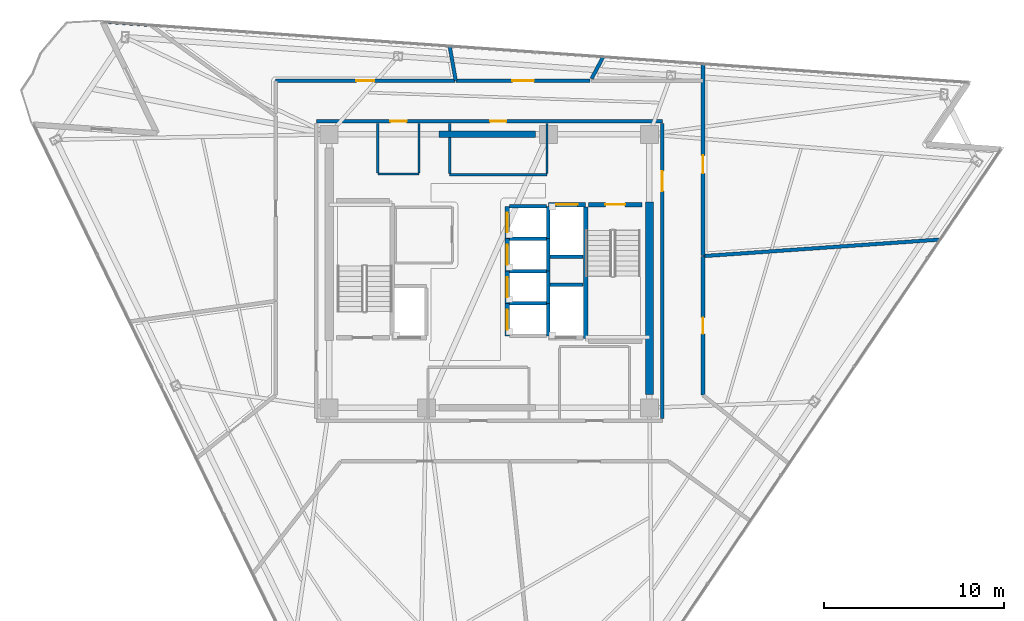
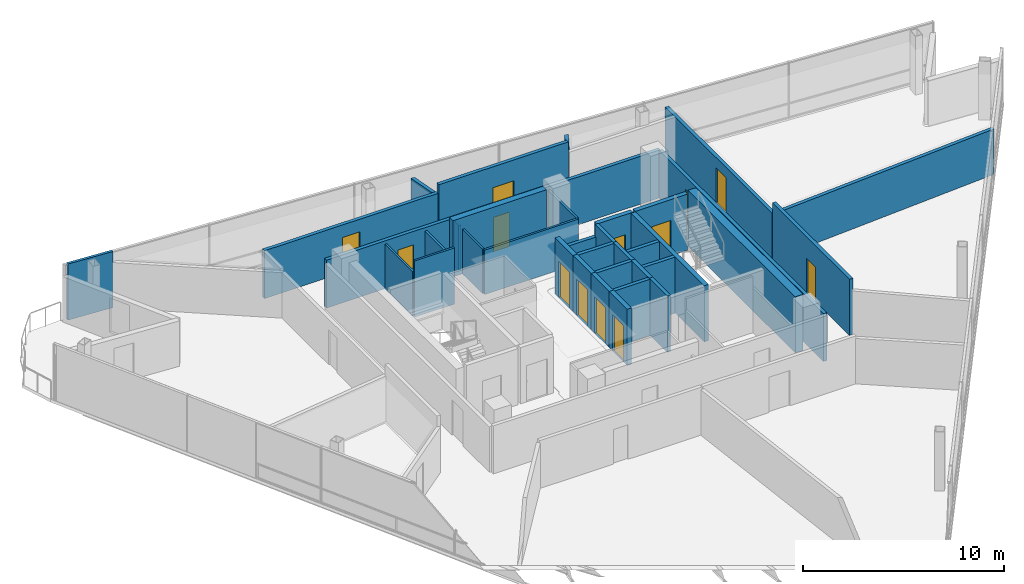
# One storey, part 10 of 14: 36 walls, 13 doors, 13 openings.
"""IFC4 building model written with IfcOpenShell, lengths in metres."""

from ifc_helpers import new_model, si_unit, direction, frame, frame_2d, origin, place, context, subcontext, project, spatial, rectangle, extrude, material, layer, layer_set, type_object, element, fill, save


model = new_model("IFC4")

# Units and contexts
model_context = context("Model", 3, precision=1e-05, world=origin(), true_north=direction((0.0, 1.0)))
body_context = subcontext(model_context, "Body", "Model", "MODEL_VIEW")
ifc_project = project(units=[si_unit("LENGTHUNIT", "METRE"), si_unit("AREAUNIT", "SQUARE_METRE"), si_unit("VOLUMEUNIT", "CUBIC_METRE"), si_unit("PLANEANGLEUNIT", "RADIAN"), si_unit("MASSUNIT", "GRAM", prefix="KILO")], contexts=[model_context])

# Site, building, storey
site_placement = place(None, origin())
site = spatial("IfcSite", under=ifc_project, at=site_placement, CompositionType="ELEMENT")
building_placement = place(site_placement, origin())
building = spatial("IfcBuilding", under=site, at=building_placement, Name="Tharavind Bronze Gate", CompositionType="ELEMENT")
storey_placement = place(building_placement, frame((0.0, 0.0, 245.050048828125)))
storey = spatial("IfcBuildingStorey", under=building, at=storey_placement, Name="L63", CompositionType="ELEMENT", Elevation=245.050048828125)

# Wall, openings, doors
ifc_material_1 = material(Name="Aerated Concrete Block", Category="concrete")
ifc_layer_1 = layer(ifc_material_1, 0.199951171875)
ifc_layer_set_1 = layer_set([ifc_layer_1], Name="Aerated Concrete Block")
wall_type_1 = type_object("IfcWallType", Name="FIRE RATED PARTITION 200", PredefinedType="PARTITIONING", material=ifc_layer_set_1)
wall_1_placement = place(storey_placement, frame((9.6201171875, 8.320068359375, 0.0), z_axis=(0.0, 0.0, 1.0), x_axis=(-1.0, 0.0, 0.0)))
wall_1 = element("IfcWall", 1, at=wall_1_placement, inside=storey, type_object=wall_type_1, Name="L63 north core corridor wall", PredefinedType="PARTITIONING", context=body_context, shape_type="SweptSolid", body=[
    extrude(rectangle(XDim=19.240234375, YDim=0.199951171875, at=frame_2d((9.6201171875, 0.0))), origin(), (0.0, 0.0, 1.0), 2.9150390625),
])
opening_1_placement = place(wall_1_placement, frame((8.669921875, 0.0, 0.0)))
opening_1 = element("IfcOpeningElement", 2, at=opening_1_placement, cuts=wall_1, Name="Opening ID07", PredefinedType="OPENING", context=body_context, shape_type="SweptSolid", body=[
    extrude(rectangle(XDim=0.89990234375, YDim=2.10009765625, at=frame_2d((0.449951171875, 1.050048828125))), frame((0.0, 0.11009765625, 0.0), z_axis=(0.0, -1.0, 0.0), x_axis=(1.0, 0.0, 0.0)), (0.0, 0.0, 1.0), 0.219951171875),
])
opening_2_placement = place(wall_1_placement, frame((14.219970703125, 0.0, 0.0)))
opening_2 = element("IfcOpeningElement", 3, at=opening_2_placement, cuts=wall_1, Name="Opening ID07", PredefinedType="OPENING", context=body_context, shape_type="SweptSolid", body=[
    extrude(rectangle(XDim=0.89990234375, YDim=2.10009765625, at=frame_2d((0.449951171875, 1.050048828125))), frame((0.0, 0.11009765625, 0.0), z_axis=(0.0, -1.0, 0.0), x_axis=(1.0, 0.0, 0.0)), (0.0, 0.0, 1.0), 0.219951171875),
])
ifc_material_2 = material(Name="Galvanised Fire Steel", Category="steel")
door_type_1 = type_object("IfcDoorType", Name="PLANT AND RISER FIRE DOOR 900X2100", OperationType="SINGLE_SWING_LEFT", PredefinedType="DOOR", material=ifc_material_2)
door_1_placement = place(opening_1_placement, origin())
door_1 = element("IfcDoor", 4, at=door_1_placement, inside=storey, type_object=door_type_1, Name="L63 Core Avionics Room fire door", OperationType="SINGLE_SWING_LEFT", OverallHeight=2.10009765625, OverallWidth=0.89990234375, PredefinedType="DOOR", context=body_context, shape_type="SweptSolid", body=[
    extrude(rectangle(XDim=0.89990234375, YDim=2.10009765625, at=frame_2d((0.449951171875, 1.050048828125))), frame((0.0, 0.02490234375, 0.0), z_axis=(0.0, -1.0, 0.0), x_axis=(1.0, 0.0, 0.0)), (0.0, 0.0, 1.0), 0.050048828125),
])
fill(opening_1, door_1)
door_2_placement = place(opening_2_placement, origin())
door_2 = element("IfcDoor", 5, at=door_2_placement, inside=storey, type_object=door_type_1, Name="L63 Electrical Switch Cupboard fire door", OperationType="SINGLE_SWING_LEFT", OverallHeight=2.10009765625, OverallWidth=0.89990234375, PredefinedType="DOOR", context=body_context, shape_type="SweptSolid", body=[
    extrude(rectangle(XDim=0.89990234375, YDim=2.10009765625, at=frame_2d((0.449951171875, 1.050048828125))), frame((0.0, 0.02490234375, 0.0), z_axis=(0.0, -1.0, 0.0), x_axis=(1.0, 0.0, 0.0)), (0.0, 0.0, 1.0), 0.050048828125),
])
fill(opening_2, door_2)

# Wall, opening, door
wall_2_placement = place(storey_placement, frame((9.6201171875, -8.199951171875, 0.0), z_axis=(0.0, 0.0, 1.0), x_axis=(0.0, 1.0, 0.0)))
wall_2 = element("IfcWall", 6, at=wall_2_placement, inside=storey, type_object=wall_type_1, Name="L63 east core corridor wall", PredefinedType="PARTITIONING", context=body_context, shape_type="SweptSolid", body=[
    extrude(rectangle(XDim=16.39990234375, YDim=0.199951171875, at=frame_2d((8.199951171875, 0.0))), origin(), (0.0, 0.0, 1.0), 2.9150390625),
])
opening_3_placement = place(wall_2_placement, frame((12.64990234375, 0.0, 0.0)))
opening_3 = element("IfcOpeningElement", 7, at=opening_3_placement, cuts=wall_2, Name="Opening ID01", PredefinedType="OPENING", context=body_context, shape_type="SweptSolid", body=[
    extrude(rectangle(XDim=1.10009765625, YDim=2.14990234375, at=frame_2d((0.550048828125, 1.074951171875))), frame((0.0, 0.11009765625, 0.0), z_axis=(0.0, -1.0, 0.0), x_axis=(1.0, 0.0, 0.0)), (0.0, 0.0, 1.0), 0.219951171875),
])
ifc_material_3 = material(Name="Fire-Rated Steel", Category="steel")
door_type_2 = type_object("IfcDoorType", Name="STAIR CORE FIRE DOOR 1100X2150", OperationType="SINGLE_SWING_LEFT", PredefinedType="DOOR", material=ifc_material_3)
door_3_placement = place(opening_3_placement, frame((1.10009765625, 0.0, 0.0), z_axis=(0.0, 0.0, 1.0), x_axis=(-1.0, 0.0, 0.0)))
door_3 = element("IfcDoor", 8, at=door_3_placement, inside=storey, type_object=door_type_2, Name="L63 north east stair lobby fire door", OperationType="SINGLE_SWING_LEFT", OverallHeight=2.14990234375, OverallWidth=1.10009765625, PredefinedType="DOOR", context=body_context, shape_type="SweptSolid", body=[
    extrude(rectangle(XDim=1.10009765625, YDim=2.14990234375, at=frame_2d((0.550048828125, 1.074951171875))), frame((0.0, 0.02490234375, 0.0), z_axis=(0.0, -1.0, 0.0), x_axis=(1.0, 0.0, 0.0)), (0.0, 0.0, 1.0), 0.050048828125),
])
fill(opening_3, door_3)

# Walls
wall_3_placement = place(storey_placement, frame((5.681396484375, 10.68505859375, 0.0), z_axis=(0.0, 0.0, 1.0), x_axis=(0.469422283284, 0.882973793471, 0.0)))
element("IfcWall", 9, at=wall_3_placement, inside=storey, type_object=wall_type_1, Name="L63 Sovereign Fund Open Office partition", PredefinedType="PARTITIONING", context=body_context, shape_type="SweptSolid", body=[
    extrude(rectangle(XDim=1.35888671875, YDim=0.199951171875, at=frame_2d((0.679443359375, 0.0))), origin(), (0.0, 0.0, 1.0), 2.764892578125),
])
wall_4_placement = place(storey_placement, frame((25.033203125, 1.75048828125, 0.0), z_axis=(0.0, 0.0, 1.0), x_axis=(-0.99756364351, -0.069762290288, 0.0)))
element("IfcWall", 10, at=wall_4_placement, inside=storey, type_object=wall_type_1, Name="L63 Sovereign Fund Open Office partition", PredefinedType="PARTITIONING", context=body_context, shape_type="SweptSolid", body=[
    extrude(rectangle(XDim=13.158447265625, YDim=0.199951171875, at=frame_2d((6.5791015625, 0.0))), origin(), (0.0, 0.0, 1.0), 2.764892578125),
])

# Wall, opening, door
wall_5_placement = place(storey_placement, frame((11.8798828125, 0.857421875, 0.0), z_axis=(0.0, 0.0, 1.0), x_axis=(0.0, 1.0, 0.0)))
wall_5 = element("IfcWall", 11, at=wall_5_placement, inside=storey, type_object=wall_type_1, Name="L63 Sovereign Fund Open Office partition", PredefinedType="PARTITIONING", context=body_context, shape_type="SweptSolid", body=[
    extrude(rectangle(XDim=10.653564453125, YDim=0.199951171875, at=frame_2d((5.32666015625, 0.0))), origin(), (0.0, 0.0, 1.0), 2.764892578125),
])
opening_4_placement = place(wall_5_placement, frame((4.571044921875, 0.0, 0.0)))
opening_4 = element("IfcOpeningElement", 12, at=opening_4_placement, cuts=wall_5, Name="Opening ID04", PredefinedType="OPENING", context=body_context, shape_type="SweptSolid", body=[
    extrude(rectangle(XDim=1.0, YDim=2.14990234375, at=frame_2d((0.5, 1.074951171875))), frame((0.0, 0.11009765625, 0.0), z_axis=(0.0, -1.0, 0.0), x_axis=(1.0, 0.0, 0.0)), (0.0, 0.0, 1.0), 0.219951171875),
])
ifc_material_4 = material(Name="Bronze Framed Acoustic Timber", Category="wood")
door_type_3 = type_object("IfcDoorType", Name="OFFICE TENANCY DOOR 1000X2150", OperationType="SINGLE_SWING_RIGHT", PredefinedType="DOOR", material=ifc_material_4)
door_4_placement = place(opening_4_placement, origin())
door_4 = element("IfcDoor", 13, at=door_4_placement, inside=storey, type_object=door_type_3, Name="L63 Sovereign Fund Open Office door", OperationType="SINGLE_SWING_RIGHT", OverallHeight=2.14990234375, OverallWidth=1.0, PredefinedType="DOOR", context=body_context, shape_type="SweptSolid", body=[
    extrude(rectangle(XDim=1.0, YDim=2.14990234375, at=frame_2d((0.5, 1.074951171875))), frame((0.0, 0.02490234375, 0.0), z_axis=(0.0, -1.0, 0.0), x_axis=(1.0, 0.0, 0.0)), (0.0, 0.0, 1.0), 0.050048828125),
])
fill(opening_4, door_4)

wall_6_placement = place(storey_placement, frame((5.610595703125, 10.580078125, 0.0), z_axis=(0.0, 0.0, 1.0), x_axis=(-1.0, 0.0, 0.0)))
wall_6 = element("IfcWall", 14, at=wall_6_placement, inside=storey, type_object=wall_type_1, Name="L63 Investment Committee Room partition", PredefinedType="PARTITIONING", context=body_context, shape_type="SweptSolid", body=[
    extrude(rectangle(XDim=7.455078125, YDim=0.199951171875, at=frame_2d((3.7275390625, 0.0))), origin(), (0.0, 0.0, 1.0), 3.419921875),
])
opening_5_placement = place(wall_6_placement, frame((3.1279296875, 0.0, 0.0)))
opening_5 = element("IfcOpeningElement", 15, at=opening_5_placement, cuts=wall_6, Name="Opening ID05", PredefinedType="OPENING", context=body_context, shape_type="SweptSolid", body=[
    extrude(rectangle(XDim=1.199951171875, YDim=2.14990234375, at=frame_2d((0.60009765625, 1.074951171875))), frame((0.0, 0.11009765625, 0.0), z_axis=(0.0, -1.0, 0.0), x_axis=(1.0, 0.0, 0.0)), (0.0, 0.0, 1.0), 0.219951171875),
])
ifc_material_5 = material(Name="Acoustic Laminated Glass", Category="glass")
door_type_4 = type_object("IfcDoorType", Name="MEETING ROOM GLAZED DOOR 1200X2150", OperationType="SINGLE_SWING_LEFT", PredefinedType="DOOR", material=ifc_material_5)
door_5_placement = place(opening_5_placement, origin())
door_5 = element("IfcDoor", 16, at=door_5_placement, inside=storey, type_object=door_type_4, Name="L63 Investment Committee Room door", OperationType="SINGLE_SWING_LEFT", OverallHeight=2.14990234375, OverallWidth=1.199951171875, PredefinedType="DOOR", context=body_context, shape_type="SweptSolid", body=[
    extrude(rectangle(XDim=1.199951171875, YDim=2.14990234375, at=frame_2d((0.60009765625, 1.074951171875))), frame((0.0, 0.02490234375, 0.0), z_axis=(0.0, -1.0, 0.0), x_axis=(1.0, 0.0, 0.0)), (0.0, 0.0, 1.0), 0.050048828125),
])
fill(opening_5, door_5)

# Wall
wall_7_placement = place(storey_placement, frame((-1.869140625, 10.6005859375, 0.0), z_axis=(0.0, 0.0, 1.0), x_axis=(-0.173669542229, 0.984803985625, 0.0)))
element("IfcWall", 17, at=wall_7_placement, inside=storey, type_object=wall_type_1, Name="L63 Investment Committee Room partition", PredefinedType="PARTITIONING", context=body_context, shape_type="SweptSolid", body=[
    extrude(rectangle(XDim=1.924560546875, YDim=0.199951171875, at=frame_2d((0.96240234375, 0.0))), origin(), (0.0, 0.0, 1.0), 2.764892578125),
])

# Wall, opening, door
wall_8_placement = place(storey_placement, frame((-1.895263671875, 10.580078125, 0.0), z_axis=(0.0, 0.0, 1.0), x_axis=(-1.0, 0.0, 0.0)))
wall_8 = element("IfcWall", 18, at=wall_8_placement, inside=storey, type_object=wall_type_1, Name="L63 Macro Research Office partition", PredefinedType="PARTITIONING", context=body_context, shape_type="SweptSolid", body=[
    extrude(rectangle(XDim=9.984130859375, YDim=0.199951171875, at=frame_2d((4.9921875, 0.0))), origin(), (0.0, 0.0, 1.0), 2.9150390625),
])
opening_6_placement = place(wall_8_placement, frame((4.491943359375, 0.0, 0.0)))
opening_6 = element("IfcOpeningElement", 19, at=opening_6_placement, cuts=wall_8, Name="Opening ID04", PredefinedType="OPENING", context=body_context, shape_type="SweptSolid", body=[
    extrude(rectangle(XDim=1.0, YDim=2.14990234375, at=frame_2d((0.5, 1.074951171875))), frame((0.0, 0.11009765625, 0.0), z_axis=(0.0, -1.0, 0.0), x_axis=(1.0, 0.0, 0.0)), (0.0, 0.0, 1.0), 0.219951171875),
])
door_6_placement = place(opening_6_placement, origin())
door_6 = element("IfcDoor", 20, at=door_6_placement, inside=storey, type_object=door_type_3, Name="L63 Macro Research Office door", OperationType="SINGLE_SWING_RIGHT", OverallHeight=2.14990234375, OverallWidth=1.0, PredefinedType="DOOR", context=body_context, shape_type="SweptSolid", body=[
    extrude(rectangle(XDim=1.0, YDim=2.14990234375, at=frame_2d((0.5, 1.074951171875))), frame((0.0, 0.02490234375, 0.0), z_axis=(0.0, -1.0, 0.0), x_axis=(1.0, 0.0, 0.0)), (0.0, 0.0, 1.0), 0.050048828125),
])
fill(opening_6, door_6)

wall_9_placement = place(storey_placement, frame((11.8798828125, -6.891357421875, 0.0), z_axis=(0.0, 0.0, 1.0), x_axis=(0.0, 1.0, 0.0)))
wall_9 = element("IfcWall", 21, at=wall_9_placement, inside=storey, type_object=wall_type_1, Name="L63 Tea Pantry partition", PredefinedType="PARTITIONING", context=body_context, shape_type="SweptSolid", body=[
    extrude(rectangle(XDim=7.69873046875, YDim=0.199951171875, at=frame_2d((3.849365234375, 0.0))), origin(), (0.0, 0.0, 1.0), 3.419921875),
])
opening_7_placement = place(wall_9_placement, frame((3.39892578125, 0.0, 0.0)))
opening_7 = element("IfcOpeningElement", 22, at=opening_7_placement, cuts=wall_9, Name="Opening ID07", PredefinedType="OPENING", context=body_context, shape_type="SweptSolid", body=[
    extrude(rectangle(XDim=0.89990234375, YDim=2.10009765625, at=frame_2d((0.449951171875, 1.050048828125))), frame((0.0, 0.11009765625, 0.0), z_axis=(0.0, -1.0, 0.0), x_axis=(1.0, 0.0, 0.0)), (0.0, 0.0, 1.0), 0.219951171875),
])
door_7_placement = place(opening_7_placement, origin())
door_7 = element("IfcDoor", 23, at=door_7_placement, inside=storey, type_object=door_type_1, Name="L63 Tea Pantry door", OperationType="SINGLE_SWING_LEFT", OverallHeight=2.10009765625, OverallWidth=0.89990234375, PredefinedType="DOOR", context=body_context, shape_type="SweptSolid", body=[
    extrude(rectangle(XDim=0.89990234375, YDim=2.10009765625, at=frame_2d((0.449951171875, 1.050048828125))), frame((0.0, 0.02490234375, 0.0), z_axis=(0.0, -1.0, 0.0), x_axis=(1.0, 0.0, 0.0)), (0.0, 0.0, 1.0), 0.050048828125),
])
fill(opening_7, door_7)

# Walls
ifc_material_6 = material(Name="Metal Stud Gypsum Partition", Category="gypsum")
ifc_layer_2 = layer(ifc_material_6, 0.1201171875)
ifc_layer_set_2 = layer_set([ifc_layer_2], Name="Metal Stud Gypsum Partition")
wall_type_2 = type_object("IfcWallType", Name="INTERIOR PARTITION WALL 120", PredefinedType="PARTITIONING", material=ifc_layer_set_2)
wall_10_placement = place(storey_placement, frame((-2.199951171875, 5.35009765625, 0.0), z_axis=(0.0, 0.0, 1.0), x_axis=(1.0, 0.0, 0.0)))
element("IfcWall", 24, at=wall_10_placement, inside=storey, type_object=wall_type_2, Name="L63 Core Avionics Room partition 1", PredefinedType="PARTITIONING", context=body_context, shape_type="SweptSolid", body=[
    extrude(rectangle(XDim=5.39990234375, YDim=0.1201171875, at=frame_2d((2.699951171875, 0.0))), origin(), (0.0, 0.0, 1.0), 2.71484375),
])
wall_11_placement = place(storey_placement, frame((3.199951171875, 5.4150390625, 0.0), z_axis=(0.0, 0.0, 1.0), x_axis=(0.0, 1.0, 0.0)))
element("IfcWall", 25, at=wall_11_placement, inside=storey, type_object=wall_type_2, Name="L63 Core Avionics Room partition 2", PredefinedType="PARTITIONING", context=body_context, shape_type="SweptSolid", body=[
    extrude(rectangle(XDim=2.800048828125, YDim=0.1201171875, at=frame_2d((1.39990234375, 0.0))), origin(), (0.0, 0.0, 1.0), 2.71484375),
])
wall_12_placement = place(storey_placement, frame((-2.199951171875, 8.215087890625, 0.0), z_axis=(0.0, 0.0, 1.0), x_axis=(0.0, -1.0, 0.0)))
element("IfcWall", 26, at=wall_12_placement, inside=storey, type_object=wall_type_2, Name="L63 Core Avionics Room partition 4", PredefinedType="PARTITIONING", context=body_context, shape_type="SweptSolid", body=[
    extrude(rectangle(XDim=0.43505859375, YDim=0.1201171875, at=frame_2d((0.217529296875, 0.0))), origin(), (0.0, 0.0, 1.0), 2.71484375),
])
wall_13_placement = place(storey_placement, frame((-2.199951171875, 7.419921875, 0.0), z_axis=(0.0, 0.0, 1.0), x_axis=(0.0, -1.0, 0.0)))
element("IfcWall", 27, at=wall_13_placement, inside=storey, type_object=wall_type_2, Name="L63 Core Avionics Room partition 4", PredefinedType="PARTITIONING", context=body_context, shape_type="SweptSolid", body=[
    extrude(rectangle(XDim=2.0048828125, YDim=0.1201171875, at=frame_2d((1.00244140625, 0.0))), origin(), (0.0, 0.0, 1.0), 2.71484375),
])
wall_14_placement = place(storey_placement, frame((-6.199951171875, 5.39990234375, 0.0), z_axis=(0.0, 0.0, 1.0), x_axis=(1.0, 0.0, 0.0)))
element("IfcWall", 28, at=wall_14_placement, inside=storey, type_object=wall_type_2, Name="L63 Electrical Switch Cupboard partition 1", PredefinedType="PARTITIONING", context=body_context, shape_type="SweptSolid", body=[
    extrude(rectangle(XDim=2.300048828125, YDim=0.1201171875, at=frame_2d((1.14990234375, 0.0))), origin(), (0.0, 0.0, 1.0), 3.419921875),
])
for number, where, z_axis, x_axis, name in (
    (29, (-3.89990234375, 5.465087890625, 0.0), (0.0, 0.0, 1.0), (0.0, 1.0, 0.0), "L63 Electrical Switch Cupboard partition 2"),
    (30, (-6.199951171875, 8.215087890625, 0.0), (0.0, 0.0, 1.0), (0.0, -1.0, 0.0), "L63 Electrical Switch Cupboard partition 4"),
):
    element("IfcWall", number, at=place(storey_placement, frame(where, z_axis=z_axis, x_axis=x_axis)), inside=storey, type_object=wall_type_2, Name=name, PredefinedType="PARTITIONING", context=body_context, shape_type="SweptSolid", body=[
        extrude(rectangle(XDim=2.75, YDim=0.1201171875, at=frame_2d((1.375, 0.0))), origin(), (0.0, 0.0, 1.0), 2.71484375),
    ])
ifc_material_7 = material(Name="Twin Stud Acoustic Gypsum", Category="gypsum")
ifc_layer_3 = layer(ifc_material_7, 0.14990234375)
ifc_layer_set_3 = layer_set([ifc_layer_3], Name="Twin Stud Acoustic Gypsum")
wall_type_3 = type_object("IfcWallType", Name="INTERIOR PARTITION WALL 150", PredefinedType="PARTITIONING", material=ifc_layer_set_3)
wall_15_placement = place(storey_placement, frame((-21.311279296875, 13.83203125, 0.0), z_axis=(0.0, 0.0, 1.0), x_axis=(0.997559711148, -0.06981849823, 0.0)))
element("IfcWall", 31, at=wall_15_placement, inside=storey, type_object=wall_type_3, Name="L63 Public Restrooms Block partition", PredefinedType="PARTITIONING", context=body_context, shape_type="SweptSolid", body=[
    extrude(rectangle(XDim=2.51416015625, YDim=0.14990234375, at=frame_2d((1.257080078125, 0.0))), origin(), (0.0, 0.0, 1.0), 3.419921875),
])
ifc_material_8 = material(Name="Concrete C50/60", Category="concrete")
ifc_layer_4 = layer(ifc_material_8, 0.25)
ifc_layer_set_4 = layer_set([ifc_layer_4], Name="Concrete C50/60")
wall_type_4 = type_object("IfcWallType", Name="RC CORE SHEAR WALL 250", PredefinedType="SHEAR", material=ifc_layer_set_4)
wall_16_placement = place(storey_placement, frame((5.35009765625, -3.75, 0.0), z_axis=(0.0, 0.0, 1.0), x_axis=(0.0, 1.0, 0.0)))
element("IfcWall", 32, at=wall_16_placement, inside=storey, type_object=wall_type_4, Name="L63 ST2 shaft west wall", PredefinedType="SHEAR", context=body_context, shape_type="SweptSolid", body=[
    extrude(rectangle(XDim=7.300048828125, YDim=0.25, at=frame_2d((3.64990234375, 0.0))), origin(), (0.0, 0.0, 1.0), 3.419921875),
])

# Wall, opening, door
wall_17_placement = place(storey_placement, frame((5.5, 3.699951171875, 0.0), z_axis=(0.0, 0.0, 1.0), x_axis=(1.0, 0.0, 0.0)))
wall_17 = element("IfcWall", 33, at=wall_17_placement, inside=storey, type_object=wall_type_4, Name="L63 ST2 shaft north wall", PredefinedType="SHEAR", context=body_context, shape_type="SweptSolid", body=[
    extrude(rectangle(XDim=3.0, YDim=0.25, at=frame_2d((1.5, 0.0))), origin(), (0.0, 0.0, 1.0), 3.419921875),
])
opening_8_placement = place(wall_17_placement, frame((0.949951171875, 0.0, 0.0)))
opening_8 = element("IfcOpeningElement", 34, at=opening_8_placement, cuts=wall_17, Name="Opening ID01", PredefinedType="OPENING", context=body_context, shape_type="SweptSolid", body=[
    extrude(rectangle(XDim=1.10009765625, YDim=2.14990234375, at=frame_2d((0.550048828125, 1.074951171875))), frame((0.0, 0.135, 0.0), z_axis=(0.0, -1.0, 0.0), x_axis=(1.0, 0.0, 0.0)), (0.0, 0.0, 1.0), 0.27),
])
door_8_placement = place(opening_8_placement, frame((1.10009765625, 0.0, 0.0), z_axis=(0.0, 0.0, 1.0), x_axis=(-1.0, 0.0, 0.0)))
door_8 = element("IfcDoor", 35, at=door_8_placement, inside=storey, type_object=door_type_2, Name="L63 exit stair ST2 fire door", OperationType="SINGLE_SWING_LEFT", OverallHeight=2.14990234375, OverallWidth=1.10009765625, PredefinedType="DOOR", context=body_context, shape_type="SweptSolid", body=[
    extrude(rectangle(XDim=1.10009765625, YDim=2.14990234375, at=frame_2d((0.550048828125, 1.074951171875))), frame((0.0, 0.02490234375, 0.0), z_axis=(0.0, -1.0, 0.0), x_axis=(1.0, 0.0, 0.0)), (0.0, 0.0, 1.0), 0.050048828125),
])
fill(opening_8, door_8)

wall_18_placement = place(storey_placement, frame((1.0, -3.60009765625, 0.0), z_axis=(0.0, 0.0, 1.0), x_axis=(0.0, 1.0, 0.0)))
wall_18 = element("IfcWall", 36, at=wall_18_placement, inside=storey, type_object=wall_type_4, Name="L63 lift PL9 shaft front wall", PredefinedType="SHEAR", context=body_context, shape_type="SweptSolid", body=[
    extrude(rectangle(XDim=1.800048828125, YDim=0.25, at=frame_2d((0.89990234375, 0.0))), origin(), (0.0, 0.0, 1.0), 3.419921875),
])
opening_9_placement = place(wall_18_placement, frame((0.35009765625, 0.0, 0.0)))
opening_9 = element("IfcOpeningElement", 37, at=opening_9_placement, cuts=wall_18, Name="Opening LD01", PredefinedType="OPENING", context=body_context, shape_type="SweptSolid", body=[
    extrude(rectangle(XDim=1.10009765625, YDim=2.199951171875, at=frame_2d((0.550048828125, 1.10009765625))), frame((0.0, 0.135, 0.0), z_axis=(0.0, -1.0, 0.0), x_axis=(1.0, 0.0, 0.0)), (0.0, 0.0, 1.0), 0.27),
])
ifc_material_9 = material(Name="Brushed Bronze Stainless Steel", Category="steel")
door_type_5 = type_object("IfcDoorType", Name="LIFT LANDING SLIDING DOOR 1100X2200", OperationType="SLIDING_TO_LEFT", PredefinedType="DOOR", material=ifc_material_9)
door_9_placement = place(opening_9_placement, origin())
door_9 = element("IfcDoor", 38, at=door_9_placement, inside=storey, type_object=door_type_5, Name="L63 lift PL9 sliding landing door", OperationType="SLIDING_TO_LEFT", OverallHeight=2.199951171875, OverallWidth=1.10009765625, PredefinedType="DOOR", context=body_context, shape_type="SweptSolid", body=[
    extrude(rectangle(XDim=1.10009765625, YDim=2.199951171875, at=frame_2d((0.550048828125, 1.10009765625))), frame((0.0, 0.02490234375, 0.0), z_axis=(0.0, -1.0, 0.0), x_axis=(1.0, 0.0, 0.0)), (0.0, 0.0, 1.0), 0.050048828125),
])
fill(opening_9, door_9)

wall_19_placement = place(storey_placement, frame((1.0, -1.800048828125, 0.0), z_axis=(0.0, 0.0, 1.0), x_axis=(0.0, 1.0, 0.0)))
wall_19 = element("IfcWall", 39, at=wall_19_placement, inside=storey, type_object=wall_type_4, Name="L63 lift PL10 shaft front wall", PredefinedType="SHEAR", context=body_context, shape_type="SweptSolid", body=[
    extrude(rectangle(XDim=1.800048828125, YDim=0.25, at=frame_2d((0.89990234375, 0.0))), origin(), (0.0, 0.0, 1.0), 3.419921875),
])
opening_10_placement = place(wall_19_placement, frame((0.35009765625, 0.0, 0.0)))
opening_10 = element("IfcOpeningElement", 40, at=opening_10_placement, cuts=wall_19, Name="Opening LD01", PredefinedType="OPENING", context=body_context, shape_type="SweptSolid", body=[
    extrude(rectangle(XDim=1.10009765625, YDim=2.199951171875, at=frame_2d((0.550048828125, 1.10009765625))), frame((0.0, 0.135, 0.0), z_axis=(0.0, -1.0, 0.0), x_axis=(1.0, 0.0, 0.0)), (0.0, 0.0, 1.0), 0.27),
])
door_10_placement = place(opening_10_placement, origin())
door_10 = element("IfcDoor", 41, at=door_10_placement, inside=storey, type_object=door_type_5, Name="L63 lift PL10 sliding landing door", OperationType="SLIDING_TO_LEFT", OverallHeight=2.199951171875, OverallWidth=1.10009765625, PredefinedType="DOOR", context=body_context, shape_type="SweptSolid", body=[
    extrude(rectangle(XDim=1.10009765625, YDim=2.199951171875, at=frame_2d((0.550048828125, 1.10009765625))), frame((0.0, 0.02490234375, 0.0), z_axis=(0.0, -1.0, 0.0), x_axis=(1.0, 0.0, 0.0)), (0.0, 0.0, 1.0), 0.050048828125),
])
fill(opening_10, door_10)

wall_20_placement = place(storey_placement, frame((1.0, 0.0, 0.0), z_axis=(0.0, 0.0, 1.0), x_axis=(0.0, 1.0, 0.0)))
wall_20 = element("IfcWall", 42, at=wall_20_placement, inside=storey, type_object=wall_type_4, Name="L63 lift PL11 shaft front wall", PredefinedType="SHEAR", context=body_context, shape_type="SweptSolid", body=[
    extrude(rectangle(XDim=1.800048828125, YDim=0.25, at=frame_2d((0.89990234375, 0.0))), origin(), (0.0, 0.0, 1.0), 3.419921875),
])
opening_11_placement = place(wall_20_placement, frame((0.35009765625, 0.0, 0.0)))
opening_11 = element("IfcOpeningElement", 43, at=opening_11_placement, cuts=wall_20, Name="Opening LD01", PredefinedType="OPENING", context=body_context, shape_type="SweptSolid", body=[
    extrude(rectangle(XDim=1.10009765625, YDim=2.199951171875, at=frame_2d((0.550048828125, 1.10009765625))), frame((0.0, 0.135, 0.0), z_axis=(0.0, -1.0, 0.0), x_axis=(1.0, 0.0, 0.0)), (0.0, 0.0, 1.0), 0.27),
])
door_11_placement = place(opening_11_placement, origin())
door_11 = element("IfcDoor", 44, at=door_11_placement, inside=storey, type_object=door_type_5, Name="L63 lift PL11 sliding landing door", OperationType="SLIDING_TO_LEFT", OverallHeight=2.199951171875, OverallWidth=1.10009765625, PredefinedType="DOOR", context=body_context, shape_type="SweptSolid", body=[
    extrude(rectangle(XDim=1.10009765625, YDim=2.199951171875, at=frame_2d((0.550048828125, 1.10009765625))), frame((0.0, 0.02490234375, 0.0), z_axis=(0.0, -1.0, 0.0), x_axis=(1.0, 0.0, 0.0)), (0.0, 0.0, 1.0), 0.050048828125),
])
fill(opening_11, door_11)

wall_21_placement = place(storey_placement, frame((1.0, 1.800048828125, 0.0), z_axis=(0.0, 0.0, 1.0), x_axis=(0.0, 1.0, 0.0)))
wall_21 = element("IfcWall", 45, at=wall_21_placement, inside=storey, type_object=wall_type_4, Name="L63 lift PL12 shaft front wall", PredefinedType="SHEAR", context=body_context, shape_type="SweptSolid", body=[
    extrude(rectangle(XDim=1.800048828125, YDim=0.25, at=frame_2d((0.89990234375, 0.0))), origin(), (0.0, 0.0, 1.0), 3.419921875),
])
opening_12_placement = place(wall_21_placement, frame((0.35009765625, 0.0, 0.0)))
opening_12 = element("IfcOpeningElement", 46, at=opening_12_placement, cuts=wall_21, Name="Opening LD01", PredefinedType="OPENING", context=body_context, shape_type="SweptSolid", body=[
    extrude(rectangle(XDim=1.10009765625, YDim=2.199951171875, at=frame_2d((0.550048828125, 1.10009765625))), frame((0.0, 0.135, 0.0), z_axis=(0.0, -1.0, 0.0), x_axis=(1.0, 0.0, 0.0)), (0.0, 0.0, 1.0), 0.27),
])
door_12_placement = place(opening_12_placement, origin())
door_12 = element("IfcDoor", 47, at=door_12_placement, inside=storey, type_object=door_type_5, Name="L63 lift PL12 sliding landing door", OperationType="SLIDING_TO_LEFT", OverallHeight=2.199951171875, OverallWidth=1.10009765625, PredefinedType="DOOR", context=body_context, shape_type="SweptSolid", body=[
    extrude(rectangle(XDim=1.10009765625, YDim=2.199951171875, at=frame_2d((0.550048828125, 1.10009765625))), frame((0.0, 0.02490234375, 0.0), z_axis=(0.0, -1.0, 0.0), x_axis=(1.0, 0.0, 0.0)), (0.0, 0.0, 1.0), 0.050048828125),
])
fill(opening_12, door_12)

wall_22_placement = place(storey_placement, frame((3.280029296875, 3.699951171875, 0.0), z_axis=(0.0, 0.0, 1.0), x_axis=(1.0, 0.0, 0.0)))
wall_22 = element("IfcWall", 48, at=wall_22_placement, inside=storey, type_object=wall_type_4, Name="L63 lift FFL2 shaft front wall", PredefinedType="SHEAR", context=body_context, shape_type="SweptSolid", body=[
    extrude(rectangle(XDim=2.070068359375, YDim=0.25, at=frame_2d((1.03515625, 0.0))), origin(), (0.0, 0.0, 1.0), 3.419921875),
])
opening_13_placement = place(wall_22_placement, frame((0.43505859375, 0.0, 0.0)))
opening_13 = element("IfcOpeningElement", 49, at=opening_13_placement, cuts=wall_22, Name="Opening LD02", PredefinedType="OPENING", context=body_context, shape_type="SweptSolid", body=[
    extrude(rectangle(XDim=1.199951171875, YDim=2.199951171875, at=frame_2d((0.60009765625, 1.10009765625))), frame((0.0, 0.135, 0.0), z_axis=(0.0, -1.0, 0.0), x_axis=(1.0, 0.0, 0.0)), (0.0, 0.0, 1.0), 0.27),
])
ifc_material_10 = material(Name="Brushed Stainless Steel", Category="steel")
door_type_6 = type_object("IfcDoorType", Name="FIREFIGHTING LIFT LANDING DOOR 1200X2200", OperationType="SLIDING_TO_RIGHT", PredefinedType="DOOR", material=ifc_material_10)
door_13_placement = place(opening_13_placement, origin())
door_13 = element("IfcDoor", 50, at=door_13_placement, inside=storey, type_object=door_type_6, Name="L63 lift FFL2 sliding landing door", OperationType="SLIDING_TO_RIGHT", OverallHeight=2.199951171875, OverallWidth=1.199951171875, PredefinedType="DOOR", context=body_context, shape_type="SweptSolid", body=[
    extrude(rectangle(XDim=1.199951171875, YDim=2.199951171875, at=frame_2d((0.60009765625, 1.10009765625))), frame((0.0, 0.02490234375, 0.0), z_axis=(0.0, -1.0, 0.0), x_axis=(1.0, 0.0, 0.0)), (0.0, 0.0, 1.0), 0.050048828125),
])
fill(opening_13, door_13)

# Walls
ifc_layer_5 = layer(ifc_material_8, 0.35009765625)
ifc_layer_set_5 = layer_set([ifc_layer_5], Name="Concrete C50/60")
wall_type_5 = type_object("IfcWallType", Name="RC CORE SHEAR WALL 350", PredefinedType="SHEAR", material=ifc_layer_set_5)
wall_23_placement = place(storey_placement, frame((-2.800048828125, 7.60009765625, 0.0), z_axis=(0.0, 0.0, 1.0), x_axis=(1.0, 0.0, 0.0)))
element("IfcWall", 51, at=wall_23_placement, inside=storey, type_object=wall_type_5, Name="L63 north core shear wall", PredefinedType="SHEAR", context=body_context, shape_type="SweptSolid", body=[
    extrude(rectangle(XDim=5.380126953125, YDim=0.35009765625, at=frame_2d((2.68994140625, 0.0))), origin(), (0.0, 0.0, 1.0), 3.419921875),
])
ifc_material_11 = material(Name="Concrete C60/75", Category="concrete")
ifc_layer_6 = layer(ifc_material_11, 0.449951171875)
ifc_layer_set_6 = layer_set([ifc_layer_6], Name="Concrete C60/75")
wall_type_6 = type_object("IfcWallType", Name="RC CORE SHEAR WALL 450", PredefinedType="SHEAR", material=ifc_layer_set_6)
wall_24_placement = place(storey_placement, frame((8.89990234375, -6.85009765625, 0.0), z_axis=(0.0, 0.0, 1.0), x_axis=(0.0, 1.0, 0.0)))
element("IfcWall", 52, at=wall_24_placement, inside=storey, type_object=wall_type_6, Name="L63 east core shear wall", PredefinedType="SHEAR", context=body_context, shape_type="SweptSolid", body=[
    extrude(rectangle(XDim=10.7001953125, YDim=0.449951171875, at=frame_2d((5.35009765625, 0.0))), origin(), (0.0, 0.0, 1.0), 3.419921875),
])
ifc_material_12 = material(Name="Concrete C40/50", Category="concrete")
ifc_layer_7 = layer(ifc_material_12, 0.199951171875)
ifc_layer_set_7 = layer_set([ifc_layer_7], Name="Concrete C40/50")
wall_type_7 = type_object("IfcWallType", Name="SHAFT ENCLOSURE WALL 200", PredefinedType="PARTITIONING", material=ifc_layer_set_7)
wall_25_placement = place(storey_placement, frame((3.280029296875, -3.60009765625, 0.0), z_axis=(0.0, 0.0, 1.0), x_axis=(0.0, 1.0, 0.0)))
element("IfcWall", 53, at=wall_25_placement, inside=storey, type_object=wall_type_7, Name="L63 lift PL9 shaft E enclosure wall", PredefinedType="PARTITIONING", context=body_context, shape_type="SweptSolid", body=[
    extrude(rectangle(XDim=1.800048828125, YDim=0.199951171875, at=frame_2d((0.89990234375, 0.0))), origin(), (0.0, 0.0, 1.0), 3.419921875),
])
wall_26_placement = place(storey_placement, frame((1.1298828125, -1.800048828125, 0.0), z_axis=(0.0, 0.0, 1.0), x_axis=(1.0, 0.0, 0.0)))
element("IfcWall", 54, at=wall_26_placement, inside=storey, type_object=wall_type_7, Name="L63 lift PL9 shaft N enclosure wall", PredefinedType="PARTITIONING", context=body_context, shape_type="SweptSolid", body=[
    extrude(rectangle(XDim=2.045166015625, YDim=0.199951171875, at=frame_2d((1.0224609375, 0.0))), origin(), (0.0, 0.0, 1.0), 3.419921875),
])
wall_27_placement = place(storey_placement, frame((3.280029296875, -1.800048828125, 0.0), z_axis=(0.0, 0.0, 1.0), x_axis=(0.0, 1.0, 0.0)))
element("IfcWall", 55, at=wall_27_placement, inside=storey, type_object=wall_type_7, Name="L63 lift PL10 shaft E enclosure wall", PredefinedType="PARTITIONING", context=body_context, shape_type="SweptSolid", body=[
    extrude(rectangle(XDim=1.800048828125, YDim=0.199951171875, at=frame_2d((0.89990234375, 0.0))), origin(), (0.0, 0.0, 1.0), 3.419921875),
])
wall_28_placement = place(storey_placement, frame((1.1298828125, 0.0, 0.0), z_axis=(0.0, 0.0, 1.0), x_axis=(1.0, 0.0, 0.0)))
element("IfcWall", 56, at=wall_28_placement, inside=storey, type_object=wall_type_7, Name="L63 lift PL10 shaft N enclosure wall", PredefinedType="PARTITIONING", context=body_context, shape_type="SweptSolid", body=[
    extrude(rectangle(XDim=2.045166015625, YDim=0.199951171875, at=frame_2d((1.0224609375, 0.0))), origin(), (0.0, 0.0, 1.0), 3.419921875),
])
wall_29_placement = place(storey_placement, frame((3.280029296875, 0.0, 0.0), z_axis=(0.0, 0.0, 1.0), x_axis=(0.0, 1.0, 0.0)))
element("IfcWall", 57, at=wall_29_placement, inside=storey, type_object=wall_type_7, Name="L63 lift PL11 shaft E enclosure wall", PredefinedType="PARTITIONING", context=body_context, shape_type="SweptSolid", body=[
    extrude(rectangle(XDim=1.800048828125, YDim=0.199951171875, at=frame_2d((0.89990234375, 0.0))), origin(), (0.0, 0.0, 1.0), 3.419921875),
])
wall_30_placement = place(storey_placement, frame((1.1298828125, 1.800048828125, 0.0), z_axis=(0.0, 0.0, 1.0), x_axis=(1.0, 0.0, 0.0)))
element("IfcWall", 58, at=wall_30_placement, inside=storey, type_object=wall_type_7, Name="L63 lift PL11 shaft N enclosure wall", PredefinedType="PARTITIONING", context=body_context, shape_type="SweptSolid", body=[
    extrude(rectangle(XDim=2.045166015625, YDim=0.199951171875, at=frame_2d((1.0224609375, 0.0))), origin(), (0.0, 0.0, 1.0), 3.419921875),
])
wall_31_placement = place(storey_placement, frame((3.280029296875, 1.800048828125, 0.0), z_axis=(0.0, 0.0, 1.0), x_axis=(0.0, 1.0, 0.0)))
element("IfcWall", 59, at=wall_31_placement, inside=storey, type_object=wall_type_7, Name="L63 lift PL12 shaft E enclosure wall", PredefinedType="PARTITIONING", context=body_context, shape_type="SweptSolid", body=[
    extrude(rectangle(XDim=1.800048828125, YDim=0.199951171875, at=frame_2d((0.89990234375, 0.0))), origin(), (0.0, 0.0, 1.0), 3.419921875),
])
wall_32_placement = place(storey_placement, frame((1.1298828125, 3.60009765625, 0.0), z_axis=(0.0, 0.0, 1.0), x_axis=(1.0, 0.0, 0.0)))
element("IfcWall", 60, at=wall_32_placement, inside=storey, type_object=wall_type_7, Name="L63 lift PL12 shaft N enclosure wall", PredefinedType="PARTITIONING", context=body_context, shape_type="SweptSolid", body=[
    extrude(rectangle(XDim=2.045166015625, YDim=0.199951171875, at=frame_2d((1.0224609375, 0.0))), origin(), (0.0, 0.0, 1.0), 2.71484375),
])
for number, where, z_axis, x_axis, name in (
    (61, (3.385009765625, 0.800048828125, 0.0), (0.0, 0.0, 1.0), (1.0, 0.0, 0.0), "L63 lift FFL2 shaft S enclosure wall"),
    (62, (3.385009765625, -0.75, 0.0), (0.0, 0.0, 1.0), (1.0, 0.0, 0.0), "L63 lift SVL1 shaft N enclosure wall"),
):
    element("IfcWall", number, at=place(storey_placement, frame(where, z_axis=z_axis, x_axis=x_axis)), inside=storey, type_object=wall_type_7, Name=name, PredefinedType="PARTITIONING", context=body_context, shape_type="SweptSolid", body=[
        extrude(rectangle(XDim=1.8349609375, YDim=0.199951171875, at=frame_2d((0.91748046875, 0.0))), origin(), (0.0, 0.0, 1.0), 3.419921875),
    ])

save(model, "model.ifc")
